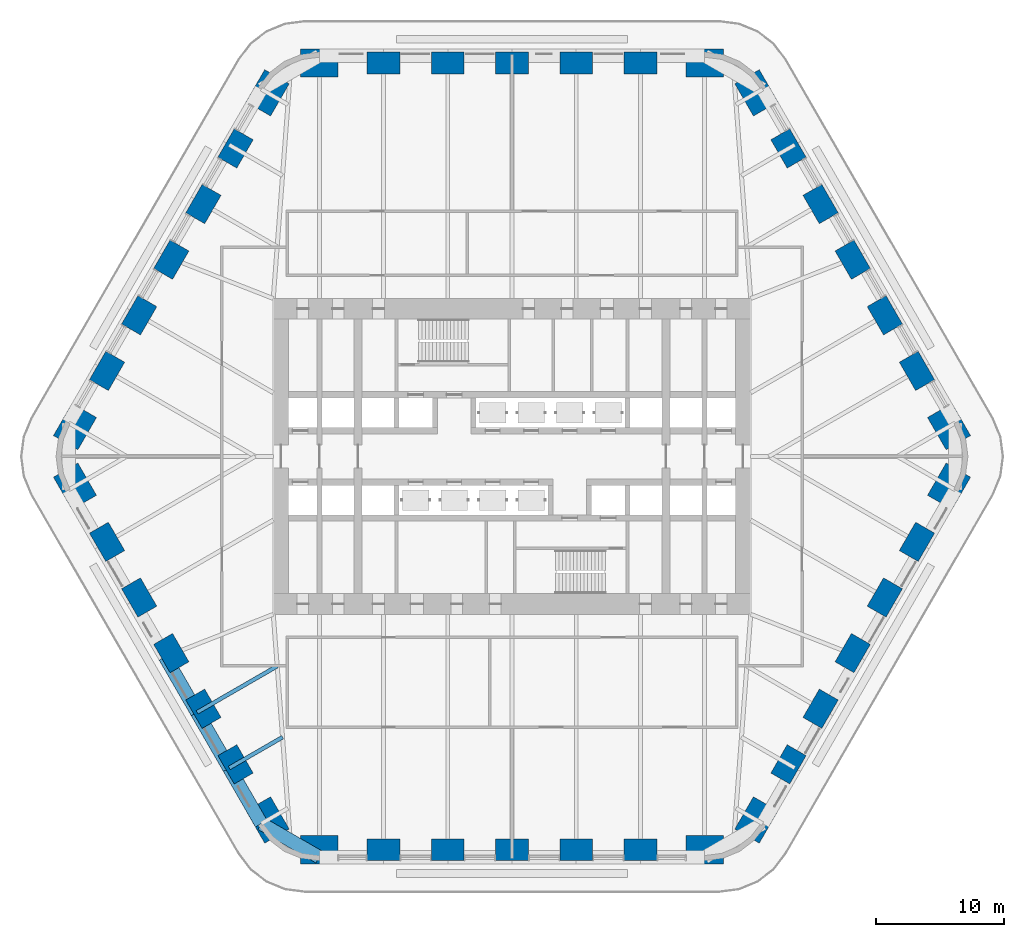
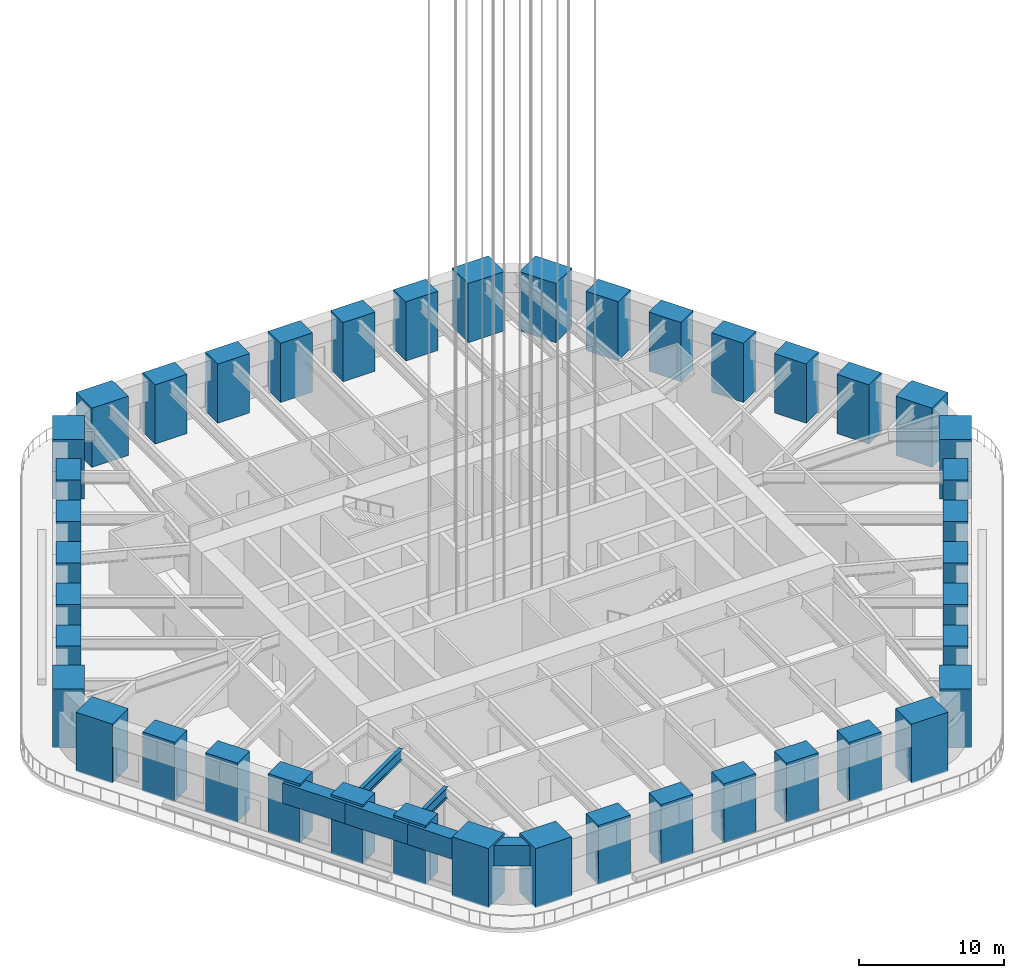
# One storey, part 1 of 15: 42 columns, 6 beams.
"""IFC4 building model written with IfcOpenShell, lengths in metres."""

from ifc_helpers import new_model, si_unit, direction, frame, origin, origin_2d, place, context, subcontext, project, spatial, rectangle, i_section, extrude, material, material_profile, profile_set, type_object, element, save


model = new_model("IFC4")

# Units and contexts
model_context = context("Model", 3, precision=1e-05, world=origin(), true_north=direction((0.0, 1.0)))
body_context = subcontext(model_context, "Body", "Model", "MODEL_VIEW")
ifc_project = project(units=[si_unit("LENGTHUNIT", "METRE"), si_unit("AREAUNIT", "SQUARE_METRE"), si_unit("VOLUMEUNIT", "CUBIC_METRE"), si_unit("PLANEANGLEUNIT", "RADIAN"), si_unit("MASSUNIT", "GRAM", prefix="KILO")], contexts=[model_context])

# Site, building, storey
site_placement = place(None, origin())
site = spatial("IfcSite", under=ifc_project, at=site_placement, CompositionType="ELEMENT")
building_placement = place(site_placement, origin())
building = spatial("IfcBuilding", under=site, at=building_placement, Name="Tarfa Lantern Tower", CompositionType="ELEMENT")
storey_placement = place(building_placement, frame((0.0, 0.0, 114.5)))
storey = spatial("IfcBuildingStorey", under=building, at=storey_placement, Name="L25", CompositionType="ELEMENT", Elevation=114.5)

# Columns
ifc_material_1 = material(Name="Concrete C80/95", Category="concrete")
ifc_material_profile_1 = material_profile(ifc_material_1, rectangle(XDim=2.550048828125, YDim=1.699951171875, at=origin_2d()), Name="RC 2550x1700")
ifc_profile_set_1 = profile_set([ifc_material_profile_1], Name="Concrete C80/95")
column_type_1 = type_object("IfcColumnType", Name="TU1 RC 2550x1700", PredefinedType="COLUMN", material=ifc_profile_set_1)
for number, where, z_axis, x_axis, name in (
    (1, (31.54736328125, 6.658447265625, 0.0), (0.0, 0.0, 1.0), (-0.5, 0.866025403784, 0.0), "Tube column NE1"),
    (2, (29.04541015625, 10.99169921875, 0.0), (0.0, 0.0, 1.0), (-0.5, 0.866025403784, 0.0), "Tube column NE2"),
    (3, (26.543701171875, 15.324951171875, 0.0), (0.0, 0.0, 1.0), (-0.5, 0.866025403784, 0.0), "Tube column NE3"),
    (4, (24.041748046875, 19.658447265625, 0.0), (0.0, 0.0, 1.0), (-0.5, 0.866025403784, 0.0), "Tube column NE4"),
    (5, (21.5400390625, 23.99169921875, 0.0), (0.0, 0.0, 1.0), (-0.5, 0.866025403784, 0.0), "Tube column NE5"),
    (6, (10.00732421875, 30.64990234375, 0.0), (0.0, 0.0, 1.0), (-1.0, 0.0, 0.0), "Tube column N1"),
    (7, (5.003662109375, 30.64990234375, 0.0), (0.0, 0.0, 1.0), (-1.0, 0.0, 0.0), "Tube column N2"),
    (8, (0.0, 30.64990234375, 0.0), (0.0, 0.0, 1.0), (-1.0, 0.0, 0.0), "Tube column N3"),
    (9, (-5.003662109375, 30.64990234375, 0.0), (0.0, 0.0, 1.0), (-1.0, 0.0, 0.0), "Tube column N4"),
    (10, (-10.00732421875, 30.64990234375, 0.0), (0.0, 0.0, 1.0), (-1.0, 0.0, 0.0), "Tube column N5"),
    (11, (-21.5400390625, 23.99169921875, 0.0), (0.0, 0.0, 1.0), (-0.5, -0.866025403784, 0.0), "Tube column NW1"),
    (12, (-24.041748046875, 19.658447265625, 0.0), (0.0, 0.0, 1.0), (-0.5, -0.866025403784, 0.0), "Tube column NW2"),
    (13, (-26.543701171875, 15.324951171875, 0.0), (0.0, 0.0, 1.0), (-0.5, -0.866025403784, 0.0), "Tube column NW3"),
    (14, (-29.04541015625, 10.99169921875, 0.0), (0.0, 0.0, 1.0), (-0.5, -0.866025403784, 0.0), "Tube column NW4"),
    (15, (-31.54736328125, 6.658447265625, 0.0), (0.0, 0.0, 1.0), (-0.5, -0.866025403784, 0.0), "Tube column NW5"),
    (16, (-31.54736328125, -6.658447265625, 0.0), (0.0, 0.0, 1.0), (0.5, -0.866025403784, 0.0), "Tube column SW1"),
    (17, (-29.04541015625, -10.99169921875, 0.0), (0.0, 0.0, 1.0), (0.5, -0.866025403784, 0.0), "Tube column SW2"),
    (18, (-26.543701171875, -15.324951171875, 0.0), (0.0, 0.0, 1.0), (0.5, -0.866025403784, 0.0), "Tube column SW3"),
    (19, (-24.041748046875, -19.658447265625, 0.0), (0.0, 0.0, 1.0), (0.5, -0.866025403784, 0.0), "Tube column SW4"),
    (20, (-21.5400390625, -23.99169921875, 0.0), (0.0, 0.0, 1.0), (0.5, -0.866025403784, 0.0), "Tube column SW5"),
    (21, (-10.00732421875, -30.64990234375, 0.0), (0.0, 0.0, 1.0), (1.0, 0.0, 0.0), "Tube column S1"),
    (22, (-5.003662109375, -30.64990234375, 0.0), (0.0, 0.0, 1.0), (1.0, 0.0, 0.0), "Tube column S2"),
    (23, (0.0, -30.64990234375, 0.0), (0.0, 0.0, 1.0), (1.0, 0.0, 0.0), "Tube column S3"),
    (24, (5.003662109375, -30.64990234375, 0.0), (0.0, 0.0, 1.0), (1.0, 0.0, 0.0), "Tube column S4"),
    (25, (10.00732421875, -30.64990234375, 0.0), (0.0, 0.0, 1.0), (1.0, 0.0, 0.0), "Tube column S5"),
    (26, (21.5400390625, -23.99169921875, 0.0), (0.0, 0.0, 1.0), (0.5, 0.866025403784, 0.0), "Tube column SE1"),
    (27, (24.041748046875, -19.658447265625, 0.0), (0.0, 0.0, 1.0), (0.5, 0.866025403784, 0.0), "Tube column SE2"),
    (28, (26.543701171875, -15.324951171875, 0.0), (0.0, 0.0, 1.0), (0.5, 0.866025403784, 0.0), "Tube column SE3"),
    (29, (29.04541015625, -10.99169921875, 0.0), (0.0, 0.0, 1.0), (0.5, 0.866025403784, 0.0), "Tube column SE4"),
    (30, (31.54736328125, -6.658447265625, 0.0), (0.0, 0.0, 1.0), (0.5, 0.866025403784, 0.0), "Tube column SE5"),
):
    element("IfcColumn", number, at=place(storey_placement, frame(where, z_axis=z_axis, x_axis=x_axis)), inside=storey, type_object=column_type_1, Name=name, PredefinedType="COLUMN", context=body_context, shape_type="SweptSolid", body=[
        extrude(rectangle(XDim=2.550048828125, YDim=1.699951171875, at=origin_2d()), origin(), (0.0, 0.0, 1.0), 5.0),
    ])
ifc_material_profile_2 = material_profile(ifc_material_1, rectangle(XDim=2.89990234375, YDim=2.199951171875, at=origin_2d()), Name="RC 2900x2200")
ifc_profile_set_2 = profile_set([ifc_material_profile_2], Name="Concrete C80/95")
column_type_2 = type_object("IfcColumnType", Name="TU1C RC 2900x2200", PredefinedType="COLUMN", material=ifc_profile_set_2)
for number, where, z_axis, x_axis, name in (
    (31, (34.04931640625, 2.324951171875, 0.0), (0.0, 0.0, 1.0), (-0.5, 0.866025403784, 0.0), "Tube column NE0"),
    (32, (19.0380859375, 28.324951171875, 0.0), (0.0, 0.0, 1.0), (-0.5, 0.866025403784, 0.0), "Tube column NE6"),
    (33, (15.010986328125, 30.64990234375, 0.0), (0.0, 0.0, 1.0), (-1.0, 0.0, 0.0), "Tube column N0"),
    (34, (-15.010986328125, 30.64990234375, 0.0), (0.0, 0.0, 1.0), (-1.0, 0.0, 0.0), "Tube column N6"),
    (35, (-19.0380859375, 28.324951171875, 0.0), (0.0, 0.0, 1.0), (-0.5, -0.866025403784, 0.0), "Tube column NW0"),
    (36, (-34.04931640625, 2.324951171875, 0.0), (0.0, 0.0, 1.0), (-0.5, -0.866025403784, 0.0), "Tube column NW6"),
    (37, (-34.04931640625, -2.324951171875, 0.0), (0.0, 0.0, 1.0), (0.5, -0.866025403784, 0.0), "Tube column SW0"),
    (38, (-19.0380859375, -28.324951171875, 0.0), (0.0, 0.0, 1.0), (0.5, -0.866025403784, 0.0), "Tube column SW6"),
    (39, (-15.010986328125, -30.64990234375, 0.0), (0.0, 0.0, 1.0), (1.0, 0.0, 0.0), "Tube column S0"),
    (40, (15.010986328125, -30.64990234375, 0.0), (0.0, 0.0, 1.0), (1.0, 0.0, 0.0), "Tube column S6"),
    (41, (19.0380859375, -28.324951171875, 0.0), (0.0, 0.0, 1.0), (0.5, 0.866025403784, 0.0), "Tube column SE0"),
    (42, (34.04931640625, -2.324951171875, 0.0), (0.0, 0.0, 1.0), (0.5, 0.866025403784, 0.0), "Tube column SE6"),
):
    element("IfcColumn", number, at=place(storey_placement, frame(where, z_axis=z_axis, x_axis=x_axis)), inside=storey, type_object=column_type_2, Name=name, PredefinedType="COLUMN", context=body_context, shape_type="SweptSolid", body=[
        extrude(rectangle(XDim=2.89990234375, YDim=2.199951171875, at=origin_2d()), origin(), (0.0, 0.0, 1.0), 5.0),
    ])

# Beams
ifc_material_profile_3 = material_profile(ifc_material_1, rectangle(XDim=1.050048828125, YDim=1.699951171875, at=origin_2d()), Name="RC 1050x1700")
ifc_profile_set_3 = profile_set([ifc_material_profile_3], Name="Concrete C80/95")
beam_type_1 = type_object("IfcBeamType", Name="RB2 RC 1050x1700", PredefinedType="BEAM", material=ifc_profile_set_3)
for number, where, z_axis, x_axis, name in (
    (43, (-27.037353515625, -15.610107421875, 3.949951171875), (0.500022324899, -0.866012514114, 0.0), (0.866012514114, 0.500022324899, 0.0), "Edge beam SW3"),
    (44, (-24.535400390625, -19.943359375, 3.949951171875), (0.49998573051, -0.866033642122, 0.0), (0.866033642122, 0.49998573051, 0.0), "Edge beam SW4"),
):
    element("IfcBeam", number, at=place(storey_placement, frame(where, z_axis=z_axis, x_axis=x_axis)), inside=storey, type_object=beam_type_1, Name=name, PredefinedType="BEAM", context=body_context, shape_type="SweptSolid", body=[
        extrude(rectangle(XDim=1.050048828125, YDim=1.699951171875, at=origin_2d()), origin(), (0.0, 0.0, 1.0), 5.003662109375),
    ])
beam_1_placement = place(storey_placement, frame((-22.03369140625, -24.276611328125, 3.949951171875), z_axis=(0.500001197378, -0.866024712477, 0.0), x_axis=(0.866024712477, 0.500001197378, 0.0)))
element("IfcBeam", 45, at=beam_1_placement, inside=storey, type_object=beam_type_1, Name="Edge beam SW5", PredefinedType="BEAM", context=body_context, shape_type="SweptSolid", body=[
    extrude(rectangle(XDim=1.050048828125, YDim=1.699951171875, at=origin_2d()), origin(), (0.0, 0.0, 1.0), 5.00390625),
])
beam_2_placement = place(storey_placement, frame((-19.53173828125, -28.610107421875, 3.949951171875), z_axis=(0.86604150238, -0.499972115377, 0.0), x_axis=(0.499972115377, 0.86604150238, 0.0)))
element("IfcBeam", 46, at=beam_2_placement, inside=storey, type_object=beam_type_1, Name="Edge beam SW6", PredefinedType="BEAM", context=body_context, shape_type="SweptSolid", body=[
    extrude(rectangle(XDim=1.050048828125, YDim=1.699951171875, at=origin_2d()), origin(), (0.0, 0.0, 1.0), 5.219970703125),
])
ifc_material_2 = material(Name="Steel S460M", Category="steel")
ifc_material_profile_4 = material_profile(ifc_material_2, i_section(OverallWidth=0.305419921875, OverallDepth=0.91845703125, WebThickness=0.017333984375, FlangeThickness=0.02783203125, FilletRadius=0.01904296875, at=origin_2d()), Name="UB914x305x253")
ifc_profile_set_4 = profile_set([ifc_material_profile_4], Name="Steel S460M")
beam_type_2 = type_object("IfcBeamType", Name="UB914x305x253", PredefinedType="BEAM", material=ifc_profile_set_4)
beam_3_placement = place(storey_placement, frame((-24.535400390625, -19.943359375, 4.3408203125), z_axis=(0.86602647304, 0.499998147991, 0.0), x_axis=(-0.499998147991, 0.86602647304, 0.0)))
element("IfcBeam", 47, at=beam_3_placement, inside=storey, type_object=beam_type_2, Name="Floor beam SW4", PredefinedType="BEAM", context=body_context, shape_type="SweptSolid", body=[
    extrude(i_section(OverallWidth=0.305419921875, OverallDepth=0.91845703125, WebThickness=0.017333984375, FlangeThickness=0.02783203125, FilletRadius=0.01904296875, at=origin_2d()), origin(), (0.0, 0.0, 1.0), 7.20556640625),
])
beam_4_placement = place(storey_placement, frame((-22.03369140625, -24.276611328125, 4.3408203125), z_axis=(0.866030550462, 0.499991085587, 0.0), x_axis=(-0.499991085587, 0.866030550462, 0.0)))
element("IfcBeam", 48, at=beam_4_placement, inside=storey, type_object=beam_type_2, Name="Floor beam SW5", PredefinedType="BEAM", context=body_context, shape_type="SweptSolid", body=[
    extrude(i_section(OverallWidth=0.305419921875, OverallDepth=0.91845703125, WebThickness=0.017333984375, FlangeThickness=0.02783203125, FilletRadius=0.01904296875, at=origin_2d()), origin(), (0.0, 0.0, 1.0), 4.798828125),
])

save(model, "model.ifc")
